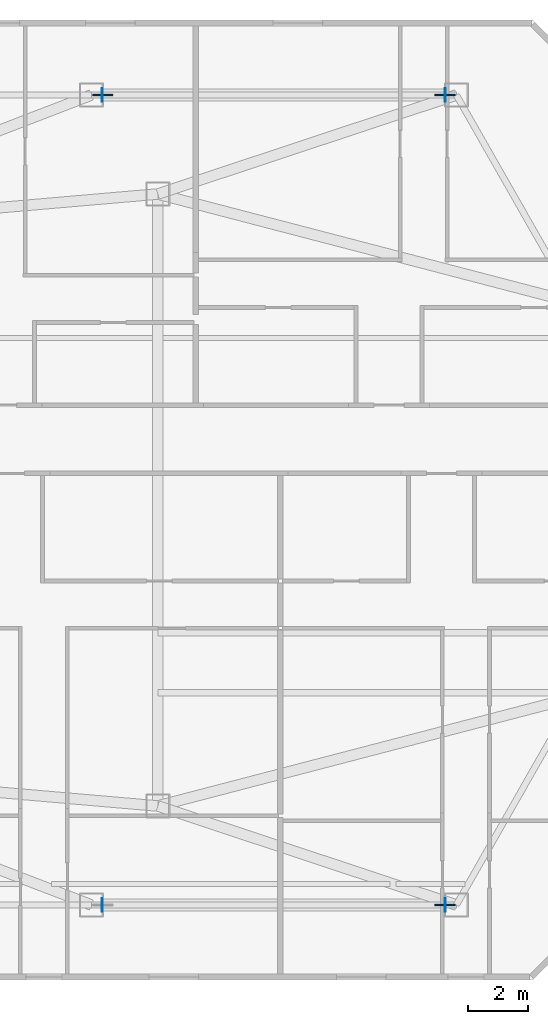
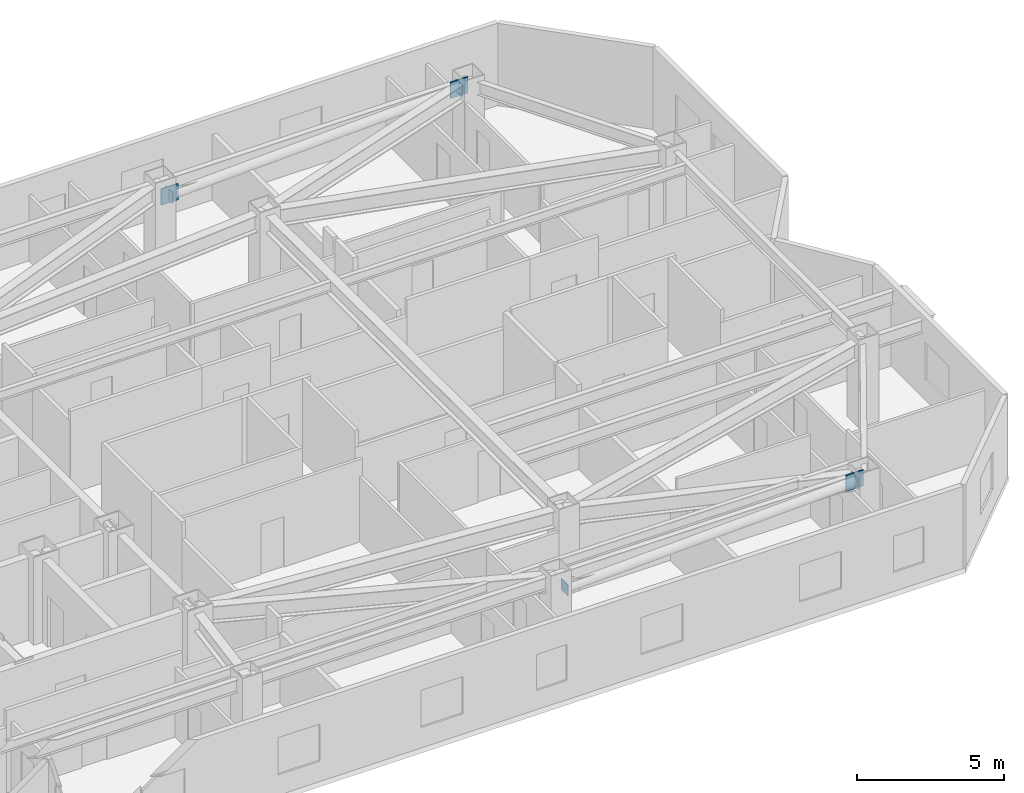
# One storey, part 3 of 9: 7 plates.
"""IFC4 building model written with IfcOpenShell, lengths in metres."""

import ifcopenshell
import ifcopenshell.guid

model = None  # the IFC model being written
_history = None  # IfcOwnerHistory: only IFC2X3 demands one
_inside = {}  # id of a spatial element -> (the spatial element, [elements in it])
_under = {}  # id of a project, library or spatial element -> (it, [spatial elements below it])
_declared = {}  # id of a project -> (the project, [libraries it declares])
_typed = {}  # id of a type object -> (the type object, [elements of that type])
_made_of = {}  # id of a material, layer set ... -> (it, [elements and type objects made of it])


def new_model(schema):
    """Start an empty IFC model of exactly this schema.

    Asked for "IFC4X3", IfcOpenShell would pick the latest addendum, in which some entities
    have other attributes; the version numbers below select the first issue.
    IFC2X3 requires an IfcOwnerHistory on every rooted entity: one is made here for all.
    """
    global model, _history
    if schema == "IFC4X3":
        model = ifcopenshell.file(schema_version=(4, 3, 0, 0))
    else:
        model = ifcopenshell.file(schema=schema)
    _inside.clear()
    _under.clear()
    _declared.clear()
    _typed.clear()
    _made_of.clear()
    _history = None
    if model.schema == "IFC2X3":
        org = make("IfcOrganization", Name="unknown")
        user = make(
            "IfcPersonAndOrganization",
            ThePerson=make("IfcPerson", FamilyName="unknown"),
            TheOrganization=org,
        )
        app = make(
            "IfcApplication",
            ApplicationDeveloper=org,
            Version="unknown",
            ApplicationFullName="unknown",
            ApplicationIdentifier="unknown",
        )
        _history = make(
            "IfcOwnerHistory",
            OwningUser=user,
            OwningApplication=app,
            ChangeAction="ADDED",
            CreationDate=0,
        )
    return model


def make(cls, **values):
    """One entity of the class cls with the attributes given. An attribute that is None is left unset."""
    return model.create_entity(
        cls, **{name: value for name, value in values.items() if value is not None}
    )


def rooted(cls, **values):
    """An entity with a GlobalId (a new one), such as an element, a storey or a relation."""
    return make(cls, GlobalId=ifcopenshell.guid.new(), OwnerHistory=_history, **values)


def si_unit(unit_type, name, prefix=None):
    """IfcSIUnit, for example si_unit("LENGTHUNIT", "METRE", prefix="MILLI")."""
    return make("IfcSIUnit", UnitType=unit_type, Prefix=prefix, Name=name)


def assignment(units):
    """IfcUnitAssignment: the units of a project."""
    return None if units is None else make("IfcUnitAssignment", Units=units)


def point(xyz):
    """IfcCartesianPoint."""
    return None if xyz is None else make("IfcCartesianPoint", Coordinates=xyz)


def direction(xyz):
    """IfcDirection."""
    return None if xyz is None else make("IfcDirection", DirectionRatios=xyz)


def frame(location, z_axis=None, x_axis=None):
    """IfcAxis2Placement3D, a coordinate frame: its origin and axes. An axis left out is left unset."""
    return make(
        "IfcAxis2Placement3D",
        Location=point(location),
        Axis=direction(z_axis),
        RefDirection=direction(x_axis),
    )


def frame_2d(location, x_axis=None):
    """IfcAxis2Placement2D, a coordinate frame in the plane: its origin and x axis."""
    return make(
        "IfcAxis2Placement2D", Location=point(location), RefDirection=direction(x_axis)
    )


def origin():
    """The frame at (0, 0, 0) with its axes left unset."""
    return frame((0.0, 0.0, 0.0))


def origin_2d():
    """The frame at (0, 0) in the plane with its x axis left unset."""
    return frame_2d((0.0, 0.0))


def place(relative_to, where):
    """IfcLocalPlacement: puts the frame where relative to a parent placement (None: the world)."""
    return make(
        "IfcLocalPlacement", PlacementRelTo=relative_to, RelativePlacement=where
    )


def context(
    kind, dimensions, precision=None, world=None, true_north=None, identifier=None
):
    """IfcGeometricRepresentationContext, for example the 3D "Model" context."""
    return make(
        "IfcGeometricRepresentationContext",
        ContextIdentifier=identifier,
        ContextType=kind,
        CoordinateSpaceDimension=dimensions,
        Precision=precision,
        WorldCoordinateSystem=world,
        TrueNorth=true_north,
    )


def subcontext(parent, identifier, kind, view, scale=None):
    """IfcGeometricRepresentationSubContext, for example "Body" below "Model"."""
    return make(
        "IfcGeometricRepresentationSubContext",
        ContextIdentifier=identifier,
        ContextType=kind,
        ParentContext=parent,
        TargetScale=scale,
        TargetView=view,
    )


def project(units=None, contexts=None):
    """IfcProject with its units and contexts."""
    return rooted(
        "IfcProject",
        Name="project",
        RepresentationContexts=contexts,
        UnitsInContext=assignment(units),
    )


def spatial(cls, under=None, at=None, **own):
    """A site, building, storey or space (cls), placed at a placement, below another one or the project."""
    s = rooted(cls, ObjectPlacement=at, **own)
    if under is not None:
        _under.setdefault(under.id(), (under, []))[1].append(s)
    return s


def profile(cls, at=None, kind="AREA", **sizes):
    """A parametric profile (cls). Its sizes go by their IFC names, for example OverallWidth=200.0."""
    return make(cls, ProfileType=kind, Position=at, **sizes)


def rectangle(**sizes):
    """IfcRectangleProfileDef."""
    return profile("IfcRectangleProfileDef", **sizes)


def extrude(swept, where, along, depth):
    """IfcExtrudedAreaSolid: the profile swept, set in the frame where, extruded along a direction by depth."""
    return make(
        "IfcExtrudedAreaSolid",
        SweptArea=swept,
        Position=where,
        ExtrudedDirection=direction(along),
        Depth=depth,
    )


def shape(context_of_items, identifier, shape_type, items):
    """IfcShapeRepresentation: the items that make up one representation, for example the "Body"."""
    return make(
        "IfcShapeRepresentation",
        ContextOfItems=context_of_items,
        RepresentationIdentifier=identifier,
        RepresentationType=shape_type,
        Items=items,
    )


def material(Name=None, Category=None):
    """IfcMaterial."""
    return make("IfcMaterial", Name=Name, Category=Category)


def layer(
    of_material, thickness, ventilated=None, Name=None, Category=None, Priority=None
):
    """IfcMaterialLayer: one layer of a wall or slab, of a material (None: an air gap)."""
    return make(
        "IfcMaterialLayer",
        Material=of_material,
        LayerThickness=thickness,
        IsVentilated=ventilated,
        Name=Name,
        Category=Category,
        Priority=Priority,
    )


def layer_set(layers, Name=None):
    """IfcMaterialLayerSet."""
    return make("IfcMaterialLayerSet", MaterialLayers=layers, LayerSetName=Name)


def made_of(thing, what):
    """Note that an element or type object is made of a material, layer set ...; save() writes the relation."""
    if what is not None:
        _made_of.setdefault(what.id(), (what, []))[1].append(thing)
    return thing


def type_object(cls, material=None, **own):
    """A type object (cls), such as IfcWallType, which elements share."""
    return made_of(rooted(cls, **own), material)


def element(
    cls,
    number,
    at=None,
    inside=None,
    cuts=None,
    type_object=None,
    material=None,
    context=None,
    identifier="Body",
    shape_type=None,
    held_by="IfcProductDefinitionShape",
    body=None,
    shapes=None,
    **own,
):
    """One element of the class cls, such as IfcWall. Its Tag is "e" and its number.

    at: its placement. inside: the storey or other place that contains it. cuts: it is an
    opening in that element (IfcRelVoidsElement). A single representation is given by context,
    identifier, shape_type and body (its items); several are given by shapes. held_by: the class
    of the entity that holds the representations. save() writes the other relations.
    """
    e = rooted(cls, Tag="e%d" % number, ObjectPlacement=at, **own)
    if body is not None:
        shapes = [shape(context, identifier, shape_type, body)]
    if shapes is not None:
        e.Representation = make(held_by, Representations=shapes)
    if inside is not None:
        _inside.setdefault(inside.id(), (inside, []))[1].append(e)
    if cuts is not None:
        rooted(
            "IfcRelVoidsElement", RelatingBuildingElement=cuts, RelatedOpeningElement=e
        )
    if type_object is not None:
        _typed.setdefault(type_object.id(), (type_object, []))[1].append(e)
    return made_of(e, material)


def aggregate(whole, parts):
    """IfcRelAggregates: a whole, such as a stair, and the parts it consists of."""
    return rooted("IfcRelAggregates", RelatingObject=whole, RelatedObjects=parts)


def save(model, path):
    """Write the relations noted so far, then the file.

    IfcRelAggregates (storeys below a building ...), IfcRelContainedInSpatialStructure (elements
    in a storey), IfcRelDefinesByType, IfcRelAssociatesMaterial and IfcRelDeclares: one each for
    every whole, place, type object, material and project.
    """
    for whole, parts in _under.values():
        aggregate(whole, parts)
    for where, things in _inside.values():
        rooted(
            "IfcRelContainedInSpatialStructure",
            RelatedElements=things,
            RelatingStructure=where,
        )
    for kind, things in _typed.values():
        rooted("IfcRelDefinesByType", RelatedObjects=things, RelatingType=kind)
    for what, things in _made_of.values():
        rooted("IfcRelAssociatesMaterial", RelatedObjects=things, RelatingMaterial=what)
    for by, libraries in _declared.values():
        rooted("IfcRelDeclares", RelatingContext=by, RelatedDefinitions=libraries)
    model.write(path)


model = new_model("IFC4")

# Units and contexts
model_context = context("Model", 3, precision=1e-05, world=origin(), true_north=direction((0.0, 1.0)))
body_context = subcontext(model_context, "Body", "Model", "MODEL_VIEW")
ifc_project = project(units=[si_unit("LENGTHUNIT", "METRE"), si_unit("AREAUNIT", "SQUARE_METRE"), si_unit("VOLUMEUNIT", "CUBIC_METRE"), si_unit("PLANEANGLEUNIT", "RADIAN"), si_unit("MASSUNIT", "GRAM", prefix="KILO")], contexts=[model_context])

# Site, building, storey
site_placement = place(None, origin())
site = spatial("IfcSite", under=ifc_project, at=site_placement, CompositionType="ELEMENT")
building_placement = place(site_placement, origin())
building = spatial("IfcBuilding", under=site, at=building_placement, Name="Khamvora Tower", CompositionType="ELEMENT")
storey_placement = place(building_placement, frame((0.0, 0.0, 235.449951171875)))
storey = spatial("IfcBuildingStorey", under=building, at=storey_placement, Name="L60", CompositionType="ELEMENT", Elevation=235.449951171875)

# Plates
ifc_material_1 = material(Name="Steel S355", Category="steel")
ifc_layer_1 = layer(ifc_material_1, 0.02490234375)
ifc_layer_set_1 = layer_set([ifc_layer_1], Name="Steel S355")
plate_type_1 = type_object("IfcPlateType", Name="PL-CAP-25", PredefinedType="SHEET", material=ifc_layer_set_1)
for number, where, z_axis, x_axis, name in (
    (1, (51.450927734375, 14.5, 2.4619140625), (0.0, 0.0, 1.0), (1.0, 0.0, 0.0), "L60 hollow section steel end cap plate 1150"),
    (2, (62.882080078125, 14.5, 2.9150390625), (0.0, 0.0, 1.0), (1.0, 0.0, 0.0), "L60 hollow section steel end cap plate 1151"),
    (3, (51.450927734375, 41.5, 2.4619140625), (0.0, 0.0, 1.0), (1.0, 0.0, 0.0), "L60 hollow section steel end cap plate 1152"),
    (4, (62.882080078125, 41.5, 2.9150390625), (0.0, 0.0, 1.0), (1.0, 0.0, 0.0), "L60 hollow section steel end cap plate 1153"),
):
    element("IfcPlate", number, at=place(storey_placement, frame(where, z_axis=z_axis, x_axis=x_axis)), inside=storey, type_object=plate_type_1, Name=name, PredefinedType="SHEET", context=body_context, shape_type="SweptSolid", body=[
        extrude(rectangle(XDim=0.02490234375, YDim=0.466064453125, at=origin_2d()), origin(), (0.0, 0.0, 1.0), 0.466064453125),
    ])
ifc_material_2 = material(Name="Steel S460", Category="steel")
ifc_layer_2 = layer(ifc_material_2, 0.0400390625)
ifc_layer_set_2 = layer_set([ifc_layer_2], Name="Steel S460")
plate_type_2 = type_object("IfcPlateType", Name="PLT-GUS-40", PredefinedType="SHEET", material=ifc_layer_set_2)
for number, where, z_axis, x_axis, name in (
    (5, (62.8701171875, 14.5, 2.80810546875), (0.0, 0.0, 1.0), (1.0, 0.0, 0.0), "L60 brace connection node gusset plate 0394"),
    (6, (51.462890625, 41.5, 2.35498046875), (0.0, 0.0, 1.0), (1.0, 0.0, 0.0), "L60 brace connection node gusset plate 0395"),
    (7, (62.8701171875, 41.5, 2.80810546875), (0.0, 0.0, 1.0), (1.0, 0.0, 0.0), "L60 brace connection node gusset plate 0396"),
):
    element("IfcPlate", number, at=place(storey_placement, frame(where, z_axis=z_axis, x_axis=x_axis)), inside=storey, type_object=plate_type_2, Name=name, PredefinedType="SHEET", context=body_context, shape_type="SweptSolid", body=[
        extrude(rectangle(XDim=0.679931640625, YDim=0.0400390625, at=origin_2d()), origin(), (0.0, 0.0, 1.0), 0.679931640625),
    ])

save(model, "model.ifc")
